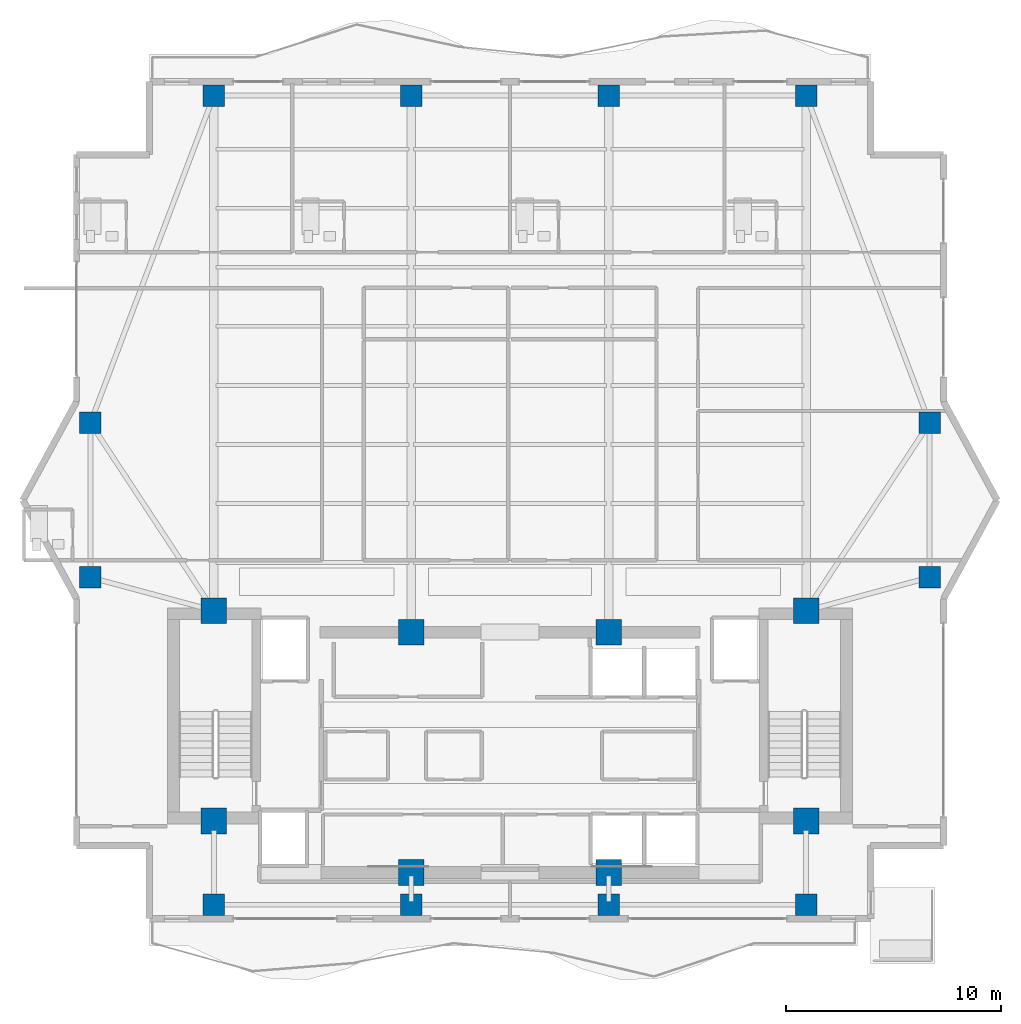
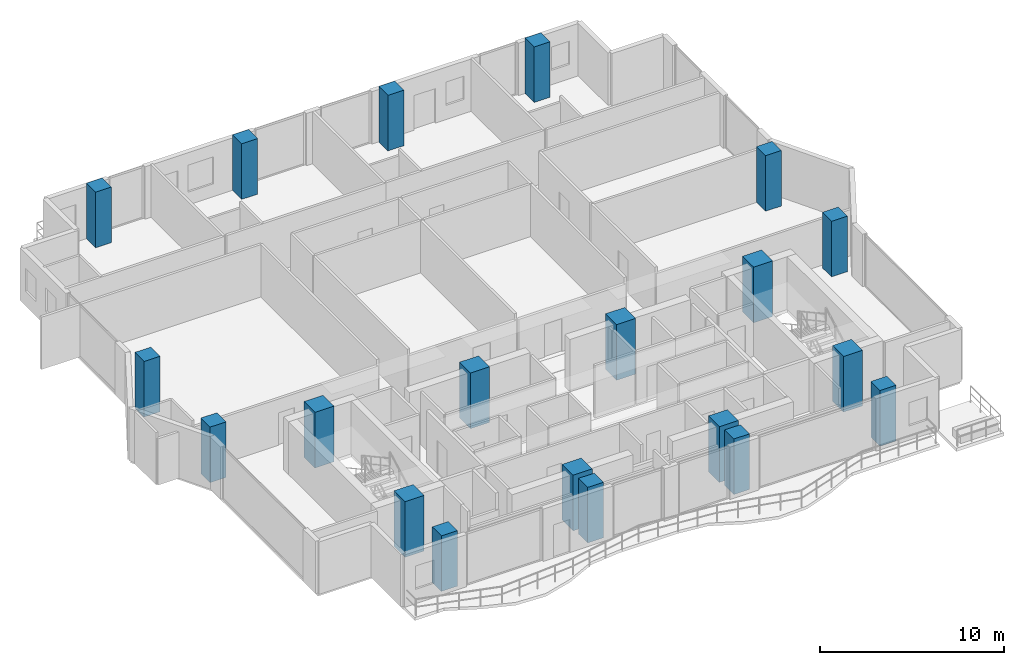
# One storey, part 1 of 25: 20 columns.
"""IFC4 building model written with IfcOpenShell, lengths in metres."""

from ifc_helpers import new_model, si_unit, direction, frame, origin, origin_2d, place, context, subcontext, project, spatial, rectangle, extrude, material, material_profile, profile_set, type_object, element, save


model = new_model("IFC4")

# Units and contexts
model_context = context("Model", 3, precision=1e-05, world=origin(), true_north=direction((0.0, 1.0)))
body_context = subcontext(model_context, "Body", "Model", "MODEL_VIEW")
ifc_project = project(units=[si_unit("LENGTHUNIT", "METRE"), si_unit("AREAUNIT", "SQUARE_METRE"), si_unit("VOLUMEUNIT", "CUBIC_METRE"), si_unit("PLANEANGLEUNIT", "RADIAN"), si_unit("MASSUNIT", "GRAM", prefix="KILO")], contexts=[model_context])

# Site, building, storey
site_placement = place(None, origin())
site = spatial("IfcSite", under=ifc_project, at=site_placement, CompositionType="ELEMENT")
building_placement = place(site_placement, origin())
building = spatial("IfcBuilding", under=site, at=building_placement, Name="Zuhayl Quay Hotel", CompositionType="ELEMENT")
storey_placement = place(building_placement, frame((0.0, 0.0, 258.14990234375)))
storey = spatial("IfcBuildingStorey", under=building, at=storey_placement, Name="L65", CompositionType="ELEMENT", Elevation=258.14990234375)

# Columns
ifc_material = material(Name="Concrete C60/75", Category="concrete")
ifc_material_profile_1 = material_profile(ifc_material, rectangle(XDim=1.199951171875, YDim=1.199951171875, at=origin_2d()), Name="RC1200X1200")
ifc_profile_set_1 = profile_set([ifc_material_profile_1], Name="Concrete C60/75")
column_type_1 = type_object("IfcColumnType", Name="CL_CC2_1200", PredefinedType="COLUMN", material=ifc_profile_set_1)
for number, where, z_axis, x_axis, name in (
    (1, (-13.800048828125, 14.35009765625, 0.0), (0.0, 0.0, 1.0), (1.0, 0.0, 0.0), "L65 Core Column CC_NW"),
    (2, (-4.60009765625, 13.35009765625, 0.0), (0.0, 0.0, 1.0), (1.0, 0.0, 0.0), "L65 Core Column CC_CNW"),
    (3, (4.60009765625, 13.35009765625, 0.0), (0.0, 0.0, 1.0), (1.0, 0.0, 0.0), "L65 Core Column CC_CNE"),
    (4, (13.800048828125, 14.35009765625, 0.0), (0.0, 0.0, 1.0), (1.0, 0.0, 0.0), "L65 Core Column CC_NE"),
    (5, (-13.800048828125, 4.550048828125, 0.0), (0.0, 0.0, 1.0), (1.0, 0.0, 0.0), "L65 Core Column CC_SW"),
    (6, (-4.60009765625, 2.14990234375, 0.0), (0.0, 0.0, 1.0), (1.0, 0.0, 0.0), "L65 Core Column CC_CSW"),
    (7, (4.60009765625, 2.14990234375, 0.0), (0.0, 0.0, 1.0), (1.0, 0.0, 0.0), "L65 Core Column CC_CSE"),
    (8, (13.800048828125, 4.550048828125, 0.0), (0.0, 0.0, 1.0), (1.0, 0.0, 0.0), "L65 Core Column CC_SE"),
):
    element("IfcColumn", number, at=place(storey_placement, frame(where, z_axis=z_axis, x_axis=x_axis)), inside=storey, type_object=column_type_1, Name=name, PredefinedType="COLUMN", context=body_context, shape_type="SweptSolid", body=[
        extrude(rectangle(XDim=1.199951171875, YDim=1.199951171875, at=origin_2d()), origin(), (0.0, 0.0, 1.0), 3.7001953125),
    ])
ifc_material_profile_2 = material_profile(ifc_material, rectangle(XDim=1.0, YDim=1.0, at=origin_2d()), Name="RC1000X1000")
ifc_profile_set_2 = profile_set([ifc_material_profile_2], Name="Concrete C60/75")
column_type_2 = type_object("IfcColumnType", Name="CL_MC4_1000", PredefinedType="COLUMN", material=ifc_profile_set_2)
for number, where, z_axis, x_axis, name in (
    (9, (-13.800048828125, 0.64990234375, 0.0), (0.0, 0.0, 1.0), (1.0, 0.0, 0.0), "L65 Mega-Column MC_S1"),
    (10, (-4.60009765625, 0.64990234375, 0.0), (0.0, 0.0, 1.0), (1.0, 0.0, 0.0), "L65 Mega-Column MC_S2"),
    (11, (4.60009765625, 0.64990234375, 0.0), (0.0, 0.0, 1.0), (1.0, 0.0, 0.0), "L65 Mega-Column MC_S3"),
    (12, (13.800048828125, 0.64990234375, 0.0), (0.0, 0.0, 1.0), (1.0, 0.0, 0.0), "L65 Mega-Column MC_S4"),
    (13, (-13.800048828125, 38.35009765625, 0.0), (0.0, 0.0, 1.0), (1.0, 0.0, 0.0), "L65 Mega-Column MC_N1"),
    (14, (-4.60009765625, 38.35009765625, 0.0), (0.0, 0.0, 1.0), (1.0, 0.0, 0.0), "L65 Mega-Column MC_N2"),
    (15, (4.60009765625, 38.35009765625, 0.0), (0.0, 0.0, 1.0), (1.0, 0.0, 0.0), "L65 Mega-Column MC_N3"),
    (16, (13.800048828125, 38.35009765625, 0.0), (0.0, 0.0, 1.0), (1.0, 0.0, 0.0), "L65 Mega-Column MC_N4"),
    (17, (-19.550048828125, 15.89990234375, 0.0), (0.0, 0.0, 1.0), (1.0, 0.0, 0.0), "L65 Mega-Column MC_W1"),
    (18, (-19.550048828125, 23.10009765625, 0.0), (0.0, 0.0, 1.0), (1.0, 0.0, 0.0), "L65 Mega-Column MC_W2"),
    (19, (19.550048828125, 15.89990234375, 0.0), (0.0, 0.0, 1.0), (1.0, 0.0, 0.0), "L65 Mega-Column MC_E1"),
    (20, (19.550048828125, 23.10009765625, 0.0), (0.0, 0.0, 1.0), (1.0, 0.0, 0.0), "L65 Mega-Column MC_E2"),
):
    element("IfcColumn", number, at=place(storey_placement, frame(where, z_axis=z_axis, x_axis=x_axis)), inside=storey, type_object=column_type_2, Name=name, PredefinedType="COLUMN", context=body_context, shape_type="SweptSolid", body=[
        extrude(rectangle(XDim=1.0, YDim=1.0, at=origin_2d()), origin(), (0.0, 0.0, 1.0), 3.7001953125),
    ])

save(model, "model.ifc")
